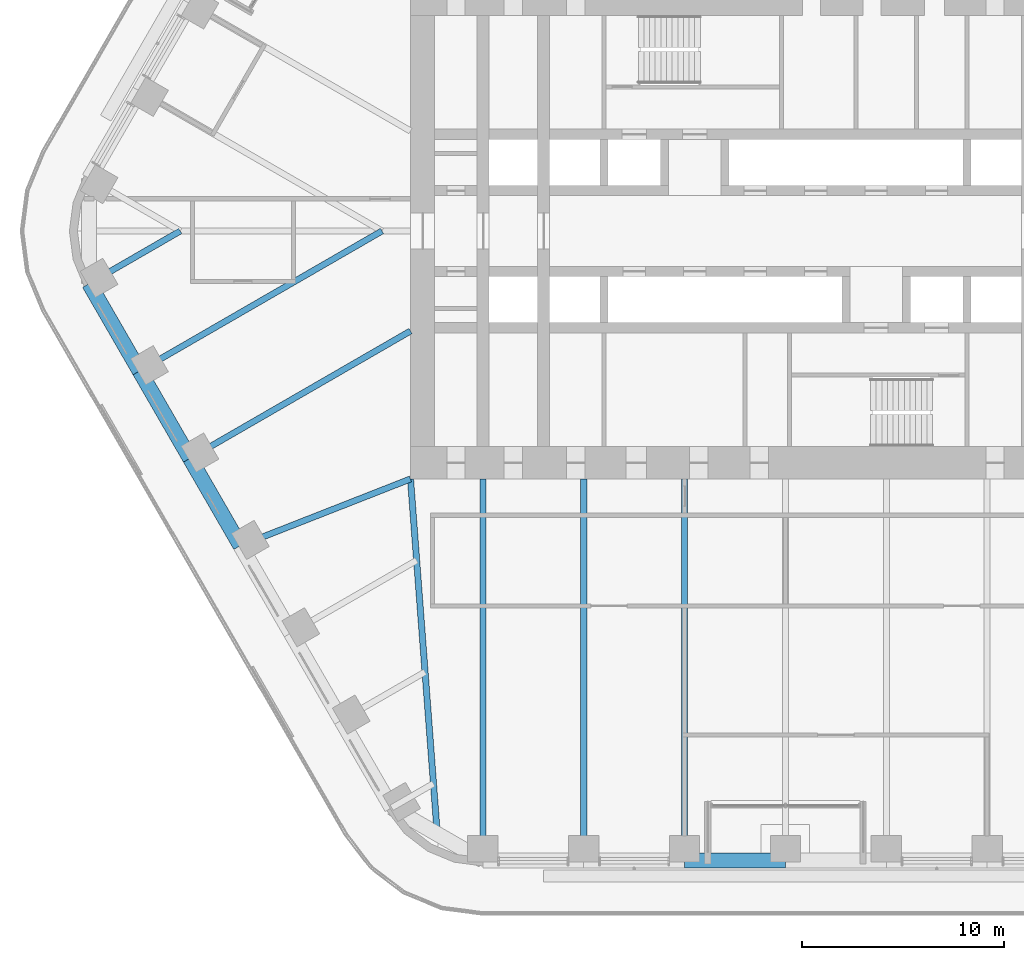
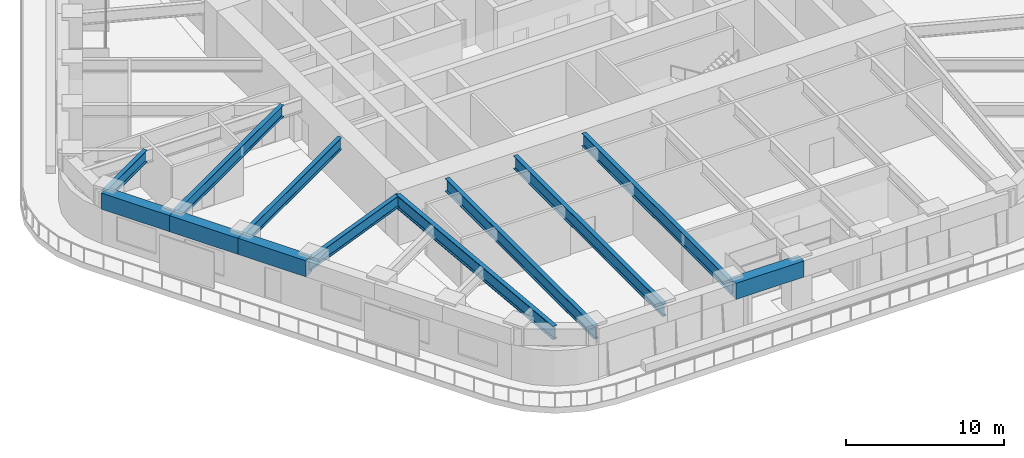
# One storey, part 3 of 24: 12 beams.
"""IFC4 building model written with IfcOpenShell, lengths in metres."""

import ifcopenshell
import ifcopenshell.guid

model = None  # the IFC model being written
_history = None  # IfcOwnerHistory: only IFC2X3 demands one
_inside = {}  # id of a spatial element -> (the spatial element, [elements in it])
_under = {}  # id of a project, library or spatial element -> (it, [spatial elements below it])
_declared = {}  # id of a project -> (the project, [libraries it declares])
_typed = {}  # id of a type object -> (the type object, [elements of that type])
_made_of = {}  # id of a material, layer set ... -> (it, [elements and type objects made of it])


def new_model(schema):
    """Start an empty IFC model of exactly this schema.

    Asked for "IFC4X3", IfcOpenShell would pick the latest addendum, in which some entities
    have other attributes; the version numbers below select the first issue.
    IFC2X3 requires an IfcOwnerHistory on every rooted entity: one is made here for all.
    """
    global model, _history
    if schema == "IFC4X3":
        model = ifcopenshell.file(schema_version=(4, 3, 0, 0))
    else:
        model = ifcopenshell.file(schema=schema)
    _inside.clear()
    _under.clear()
    _declared.clear()
    _typed.clear()
    _made_of.clear()
    _history = None
    if model.schema == "IFC2X3":
        org = make("IfcOrganization", Name="unknown")
        user = make(
            "IfcPersonAndOrganization",
            ThePerson=make("IfcPerson", FamilyName="unknown"),
            TheOrganization=org,
        )
        app = make(
            "IfcApplication",
            ApplicationDeveloper=org,
            Version="unknown",
            ApplicationFullName="unknown",
            ApplicationIdentifier="unknown",
        )
        _history = make(
            "IfcOwnerHistory",
            OwningUser=user,
            OwningApplication=app,
            ChangeAction="ADDED",
            CreationDate=0,
        )
    return model


def make(cls, **values):
    """One entity of the class cls with the attributes given. An attribute that is None is left unset."""
    return model.create_entity(
        cls, **{name: value for name, value in values.items() if value is not None}
    )


def rooted(cls, **values):
    """An entity with a GlobalId (a new one), such as an element, a storey or a relation."""
    return make(cls, GlobalId=ifcopenshell.guid.new(), OwnerHistory=_history, **values)


def si_unit(unit_type, name, prefix=None):
    """IfcSIUnit, for example si_unit("LENGTHUNIT", "METRE", prefix="MILLI")."""
    return make("IfcSIUnit", UnitType=unit_type, Prefix=prefix, Name=name)


def assignment(units):
    """IfcUnitAssignment: the units of a project."""
    return None if units is None else make("IfcUnitAssignment", Units=units)


def point(xyz):
    """IfcCartesianPoint."""
    return None if xyz is None else make("IfcCartesianPoint", Coordinates=xyz)


def direction(xyz):
    """IfcDirection."""
    return None if xyz is None else make("IfcDirection", DirectionRatios=xyz)


def frame(location, z_axis=None, x_axis=None):
    """IfcAxis2Placement3D, a coordinate frame: its origin and axes. An axis left out is left unset."""
    return make(
        "IfcAxis2Placement3D",
        Location=point(location),
        Axis=direction(z_axis),
        RefDirection=direction(x_axis),
    )


def frame_2d(location, x_axis=None):
    """IfcAxis2Placement2D, a coordinate frame in the plane: its origin and x axis."""
    return make(
        "IfcAxis2Placement2D", Location=point(location), RefDirection=direction(x_axis)
    )


def origin():
    """The frame at (0, 0, 0) with its axes left unset."""
    return frame((0.0, 0.0, 0.0))


def origin_2d():
    """The frame at (0, 0) in the plane with its x axis left unset."""
    return frame_2d((0.0, 0.0))


def place(relative_to, where):
    """IfcLocalPlacement: puts the frame where relative to a parent placement (None: the world)."""
    return make(
        "IfcLocalPlacement", PlacementRelTo=relative_to, RelativePlacement=where
    )


def context(
    kind, dimensions, precision=None, world=None, true_north=None, identifier=None
):
    """IfcGeometricRepresentationContext, for example the 3D "Model" context."""
    return make(
        "IfcGeometricRepresentationContext",
        ContextIdentifier=identifier,
        ContextType=kind,
        CoordinateSpaceDimension=dimensions,
        Precision=precision,
        WorldCoordinateSystem=world,
        TrueNorth=true_north,
    )


def subcontext(parent, identifier, kind, view, scale=None):
    """IfcGeometricRepresentationSubContext, for example "Body" below "Model"."""
    return make(
        "IfcGeometricRepresentationSubContext",
        ContextIdentifier=identifier,
        ContextType=kind,
        ParentContext=parent,
        TargetScale=scale,
        TargetView=view,
    )


def project(units=None, contexts=None):
    """IfcProject with its units and contexts."""
    return rooted(
        "IfcProject",
        Name="project",
        RepresentationContexts=contexts,
        UnitsInContext=assignment(units),
    )


def spatial(cls, under=None, at=None, **own):
    """A site, building, storey or space (cls), placed at a placement, below another one or the project."""
    s = rooted(cls, ObjectPlacement=at, **own)
    if under is not None:
        _under.setdefault(under.id(), (under, []))[1].append(s)
    return s


def profile(cls, at=None, kind="AREA", **sizes):
    """A parametric profile (cls). Its sizes go by their IFC names, for example OverallWidth=200.0."""
    return make(cls, ProfileType=kind, Position=at, **sizes)


def rectangle(**sizes):
    """IfcRectangleProfileDef."""
    return profile("IfcRectangleProfileDef", **sizes)


def i_section(**sizes):
    """IfcIShapeProfileDef."""
    return profile("IfcIShapeProfileDef", **sizes)


def extrude(swept, where, along, depth):
    """IfcExtrudedAreaSolid: the profile swept, set in the frame where, extruded along a direction by depth."""
    return make(
        "IfcExtrudedAreaSolid",
        SweptArea=swept,
        Position=where,
        ExtrudedDirection=direction(along),
        Depth=depth,
    )


def shape(context_of_items, identifier, shape_type, items):
    """IfcShapeRepresentation: the items that make up one representation, for example the "Body"."""
    return make(
        "IfcShapeRepresentation",
        ContextOfItems=context_of_items,
        RepresentationIdentifier=identifier,
        RepresentationType=shape_type,
        Items=items,
    )


def material(Name=None, Category=None):
    """IfcMaterial."""
    return make("IfcMaterial", Name=Name, Category=Category)


def material_profile(
    of_material, cross_section, Name=None, Category=None, Priority=None
):
    """IfcMaterialProfile: a cross section and its material."""
    return make(
        "IfcMaterialProfile",
        Name=Name,
        Material=of_material,
        Profile=cross_section,
        Priority=Priority,
        Category=Category,
    )


def profile_set(profiles, Name=None, composite=None):
    """IfcMaterialProfileSet."""
    return make(
        "IfcMaterialProfileSet",
        Name=Name,
        MaterialProfiles=profiles,
        CompositeProfile=composite,
    )


def made_of(thing, what):
    """Note that an element or type object is made of a material, layer set ...; save() writes the relation."""
    if what is not None:
        _made_of.setdefault(what.id(), (what, []))[1].append(thing)
    return thing


def type_object(cls, material=None, **own):
    """A type object (cls), such as IfcWallType, which elements share."""
    return made_of(rooted(cls, **own), material)


def element(
    cls,
    number,
    at=None,
    inside=None,
    cuts=None,
    type_object=None,
    material=None,
    context=None,
    identifier="Body",
    shape_type=None,
    held_by="IfcProductDefinitionShape",
    body=None,
    shapes=None,
    **own,
):
    """One element of the class cls, such as IfcWall. Its Tag is "e" and its number.

    at: its placement. inside: the storey or other place that contains it. cuts: it is an
    opening in that element (IfcRelVoidsElement). A single representation is given by context,
    identifier, shape_type and body (its items); several are given by shapes. held_by: the class
    of the entity that holds the representations. save() writes the other relations.
    """
    e = rooted(cls, Tag="e%d" % number, ObjectPlacement=at, **own)
    if body is not None:
        shapes = [shape(context, identifier, shape_type, body)]
    if shapes is not None:
        e.Representation = make(held_by, Representations=shapes)
    if inside is not None:
        _inside.setdefault(inside.id(), (inside, []))[1].append(e)
    if cuts is not None:
        rooted(
            "IfcRelVoidsElement", RelatingBuildingElement=cuts, RelatedOpeningElement=e
        )
    if type_object is not None:
        _typed.setdefault(type_object.id(), (type_object, []))[1].append(e)
    return made_of(e, material)


def aggregate(whole, parts):
    """IfcRelAggregates: a whole, such as a stair, and the parts it consists of."""
    return rooted("IfcRelAggregates", RelatingObject=whole, RelatedObjects=parts)


def save(model, path):
    """Write the relations noted so far, then the file.

    IfcRelAggregates (storeys below a building ...), IfcRelContainedInSpatialStructure (elements
    in a storey), IfcRelDefinesByType, IfcRelAssociatesMaterial and IfcRelDeclares: one each for
    every whole, place, type object, material and project.
    """
    for whole, parts in _under.values():
        aggregate(whole, parts)
    for where, things in _inside.values():
        rooted(
            "IfcRelContainedInSpatialStructure",
            RelatedElements=things,
            RelatingStructure=where,
        )
    for kind, things in _typed.values():
        rooted("IfcRelDefinesByType", RelatedObjects=things, RelatingType=kind)
    for what, things in _made_of.values():
        rooted("IfcRelAssociatesMaterial", RelatedObjects=things, RelatingMaterial=what)
    for by, libraries in _declared.values():
        rooted("IfcRelDeclares", RelatingContext=by, RelatedDefinitions=libraries)
    model.write(path)


model = new_model("IFC4")

# Units and contexts
model_context = context("Model", 3, precision=1e-05, world=origin(), true_north=direction((0.0, 1.0)))
body_context = subcontext(model_context, "Body", "Model", "MODEL_VIEW")
ifc_project = project(units=[si_unit("LENGTHUNIT", "METRE"), si_unit("AREAUNIT", "SQUARE_METRE"), si_unit("VOLUMEUNIT", "CUBIC_METRE"), si_unit("PLANEANGLEUNIT", "RADIAN"), si_unit("MASSUNIT", "GRAM", prefix="KILO")], contexts=[model_context])

# Site, building, storey
site_placement = place(None, origin())
site = spatial("IfcSite", under=ifc_project, at=site_placement, CompositionType="ELEMENT")
building_placement = place(site_placement, origin())
building = spatial("IfcBuilding", under=site, at=building_placement, Name="Tarfa Lantern Tower", CompositionType="ELEMENT")
storey_placement = place(building_placement, frame((0.0, 0.0, 182.5)))
storey = spatial("IfcBuildingStorey", under=building, at=storey_placement, Name="L41", CompositionType="ELEMENT", Elevation=182.5)

# Beams
ifc_material_1 = material(Name="Concrete C80/95", Category="concrete")
ifc_material_profile_1 = material_profile(ifc_material_1, rectangle(XDim=0.75, YDim=1.25, at=origin_2d()), Name="RC 750x1250")
ifc_profile_set_1 = profile_set([ifc_material_profile_1], Name="Concrete C80/95")
beam_type_1 = type_object("IfcBeamType", Name="EB2 RC 750x1250", PredefinedType="SPANDREL", material=ifc_profile_set_1)
for number, where, z_axis, x_axis, name in (
    (1, (-34.54296875, -2.610107421875, 3.375), (0.500022324899, -0.866012514114, 0.0), (0.866012514114, 0.500022324899, 0.0), "Edge beam SW0"),
    (2, (-32.041015625, -6.943359375, 3.375), (0.500022324899, -0.866012514114, 0.0), (0.866012514114, 0.500022324899, 0.0), "Edge beam SW1"),
    (3, (-29.5390625, -11.276611328125, 3.375), (0.499964603504, -0.866045838996, 0.0), (0.866045838996, 0.499964603504, 0.0), "Edge beam SW2"),
    (4, (-5.003662109375, -31.219970703125, 3.375), (1.0, 0.0, 0.0), (0.0, 1.0, 0.0), "Edge beam S2"),
):
    element("IfcBeam", number, at=place(storey_placement, frame(where, z_axis=z_axis, x_axis=x_axis)), inside=storey, type_object=beam_type_1, Name=name, PredefinedType="SPANDREL", context=body_context, shape_type="SweptSolid", body=[
        extrude(rectangle(XDim=0.75, YDim=1.25, at=origin_2d()), origin(), (0.0, 0.0, 1.0), 5.003662109375),
    ])
ifc_material_2 = material(Name="Steel S460M", Category="steel")
ifc_material_profile_2 = material_profile(ifc_material_2, i_section(OverallWidth=0.302001953125, OverallDepth=1.008056640625, WebThickness=0.02099609375, FlangeThickness=0.0400390625, FilletRadius=0.030029296875, at=origin_2d()), Name="UB1016x305x349")
ifc_profile_set_2 = profile_set([ifc_material_profile_2], Name="Steel S460M")
beam_type_2 = type_object("IfcBeamType", Name="UB1016x305x349", PredefinedType="BEAM", material=ifc_profile_set_2)
for number, where, z_axis, x_axis, name in (
    (5, (-15.010986328125, -31.219970703125, 3.495849609375), (0.0, 1.0, 0.0), (-1.0, 0.0, 0.0), "Floor beam S0"),
    (6, (-10.00732421875, -31.219970703125, 3.495849609375), (0.0, 1.0, 0.0), (-1.0, 0.0, 0.0), "Floor beam S1"),
    (7, (-5.003662109375, -31.219970703125, 3.495849609375), (0.0, 1.0, 0.0), (-1.0, 0.0, 0.0), "Floor beam S2"),
):
    element("IfcBeam", number, at=place(storey_placement, frame(where, z_axis=z_axis, x_axis=x_axis)), inside=storey, type_object=beam_type_2, Name=name, PredefinedType="BEAM", context=body_context, shape_type="SweptSolid", body=[
        extrude(i_section(OverallWidth=0.302001953125, OverallDepth=1.008056640625, WebThickness=0.02099609375, FlangeThickness=0.0400390625, FilletRadius=0.030029296875, at=origin_2d()), origin(), (0.0, 0.0, 1.0), 18.919921875),
    ])
ifc_material_profile_3 = material_profile(ifc_material_2, i_section(OverallWidth=0.30859375, OverallDepth=1.036376953125, WebThickness=0.030029296875, FlangeThickness=0.05419921875, FilletRadius=0.030029296875, at=origin_2d()), Name="UB1016x305x487")
ifc_profile_set_3 = profile_set([ifc_material_profile_3], Name="Steel S460M")
beam_type_3 = type_object("IfcBeamType", Name="UB1016x305x487", PredefinedType="BEAM", material=ifc_profile_set_3)
beam_1_placement = place(storey_placement, frame((-18.60009765625, -12.300048828125, 3.48193359375), z_axis=(0.075211516041, -0.99716760269, 0.0), x_axis=(0.99716760269, 0.075211516041, 0.0)))
element("IfcBeam", 8, at=beam_1_placement, inside=storey, type_object=beam_type_3, Name="Hip girder SW", PredefinedType="BEAM", context=body_context, shape_type="SweptSolid", body=[
    extrude(i_section(OverallWidth=0.30859375, OverallDepth=1.036376953125, WebThickness=0.030029296875, FlangeThickness=0.05419921875, FilletRadius=0.030029296875, at=origin_2d()), origin(), (0.0, 0.0, 1.0), 17.6650390625),
])
ifc_material_profile_4 = material_profile(ifc_material_2, i_section(OverallWidth=0.305419921875, OverallDepth=0.91845703125, WebThickness=0.017333984375, FlangeThickness=0.02783203125, FilletRadius=0.01904296875, at=origin_2d()), Name="UB914x305x253")
ifc_profile_set_4 = profile_set([ifc_material_profile_4], Name="Steel S460M")
beam_type_4 = type_object("IfcBeamType", Name="UB914x305x253", PredefinedType="BEAM", material=ifc_profile_set_4)
beam_2_placement = place(storey_placement, frame((-34.54296875, -2.610107421875, 3.540771484375), z_axis=(0.866021250859, 0.500007193008, 0.0), x_axis=(-0.500007193008, 0.866021250859, 0.0)))
element("IfcBeam", 9, at=beam_2_placement, inside=storey, type_object=beam_type_4, Name="Floor beam SW0", PredefinedType="BEAM", context=body_context, shape_type="SweptSolid", body=[
    extrude(i_section(OverallWidth=0.305419921875, OverallDepth=0.91845703125, WebThickness=0.017333984375, FlangeThickness=0.02783203125, FilletRadius=0.01904296875, at=origin_2d()), origin(), (0.0, 0.0, 1.0), 5.22021484375),
])
beam_3_placement = place(storey_placement, frame((-32.041015625, -6.943359375, 3.540771484375), z_axis=(0.866023096411, 0.500003996466, 0.0), x_axis=(-0.500003996466, 0.866023096411, 0.0)))
element("IfcBeam", 10, at=beam_3_placement, inside=storey, type_object=beam_type_4, Name="Floor beam SW1", PredefinedType="BEAM", context=body_context, shape_type="SweptSolid", body=[
    extrude(i_section(OverallWidth=0.305419921875, OverallDepth=0.91845703125, WebThickness=0.017333984375, FlangeThickness=0.02783203125, FilletRadius=0.01904296875, at=origin_2d()), origin(), (0.0, 0.0, 1.0), 13.88671875),
])
beam_4_placement = place(storey_placement, frame((-29.5390625, -11.276611328125, 3.540771484375), z_axis=(0.866023362995, 0.500003534735, 0.0), x_axis=(-0.500003534735, 0.866023362995, 0.0)))
element("IfcBeam", 11, at=beam_4_placement, inside=storey, type_object=beam_type_4, Name="Floor beam SW2", PredefinedType="BEAM", context=body_context, shape_type="SweptSolid", body=[
    extrude(i_section(OverallWidth=0.305419921875, OverallDepth=0.91845703125, WebThickness=0.017333984375, FlangeThickness=0.02783203125, FilletRadius=0.01904296875, at=origin_2d()), origin(), (0.0, 0.0, 1.0), 12.63134765625),
])
beam_5_placement = place(storey_placement, frame((-27.037353515625, -15.610107421875, 3.540771484375), z_axis=(0.930923282782, 0.365214788274, 0.0), x_axis=(-0.365214788274, 0.930923282782, 0.0)))
element("IfcBeam", 12, at=beam_5_placement, inside=storey, type_object=beam_type_4, Name="Floor beam SW3", PredefinedType="BEAM", context=body_context, shape_type="SweptSolid", body=[
    extrude(i_section(OverallWidth=0.305419921875, OverallDepth=0.91845703125, WebThickness=0.017333984375, FlangeThickness=0.02783203125, FilletRadius=0.01904296875, at=origin_2d()), origin(), (0.0, 0.0, 1.0), 9.063232421875),
])

save(model, "model.ifc")
